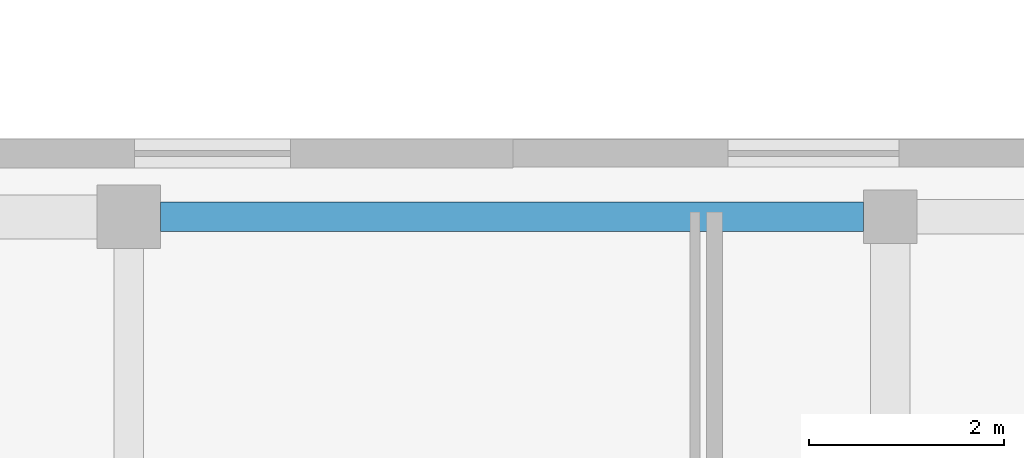
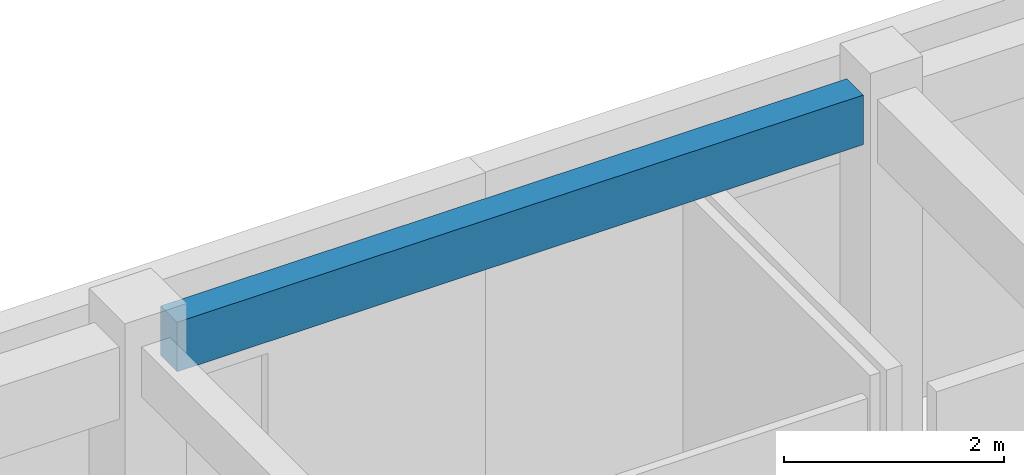
# One storey, part 52 of 142: 1 beam.
"""IFC4 building model written with IfcOpenShell, lengths in metres."""

from ifc_helpers import new_model, si_unit, direction, frame, origin, origin_2d, place, context, subcontext, project, spatial, rectangle, extrude, material, material_profile, profile_set, type_object, element, save


model = new_model("IFC4")

# Units and contexts
model_context = context("Model", 3, precision=1e-05, world=origin(), true_north=direction((0.0, 1.0)))
body_context = subcontext(model_context, "Body", "Model", "MODEL_VIEW")
ifc_project = project(units=[si_unit("LENGTHUNIT", "METRE"), si_unit("AREAUNIT", "SQUARE_METRE"), si_unit("VOLUMEUNIT", "CUBIC_METRE"), si_unit("PLANEANGLEUNIT", "RADIAN"), si_unit("MASSUNIT", "GRAM", prefix="KILO")], contexts=[model_context])

# Site, building, storey
site_placement = place(None, origin())
site = spatial("IfcSite", under=ifc_project, at=site_placement, CompositionType="ELEMENT")
building_placement = place(site_placement, origin())
building = spatial("IfcBuilding", under=site, at=building_placement, Name="Valcora Specialist Clinic", CompositionType="ELEMENT")
storey_placement = place(building_placement, frame((0.0, 0.0, 5.10009765625)))
storey = spatial("IfcBuildingStorey", under=building, at=storey_placement, Name="L01", CompositionType="ELEMENT", Elevation=5.10009765625)

# Beam
ifc_material = material(Name="Concrete C40/50", Category="concrete")
ifc_material_profile = material_profile(ifc_material, rectangle(XDim=0.300048828125, YDim=0.550048828125, at=origin_2d()), Name="RC-BM-300X550")
ifc_profile_set = profile_set([ifc_material_profile], Name="Concrete C40/50")
beam_type = type_object("IfcBeamType", Name="TY-BM-RC300X550", PredefinedType="BEAM", material=ifc_profile_set)
beam_placement = place(storey_placement, frame((107.52490234375, 22.0, 3.829833984375), z_axis=(1.0, 0.0, 0.0), x_axis=(0.0, 1.0, 0.0)))
element("IfcBeam", 1, at=beam_placement, inside=storey, type_object=beam_type, Name="Beam BM-L01-1327", PredefinedType="BEAM", context=body_context, shape_type="SweptSolid", body=[
    extrude(rectangle(XDim=0.300048828125, YDim=0.550048828125, at=origin_2d()), origin(), (0.0, 0.0, 1.0), 7.2001953125),
])

save(model, "model.ifc")
